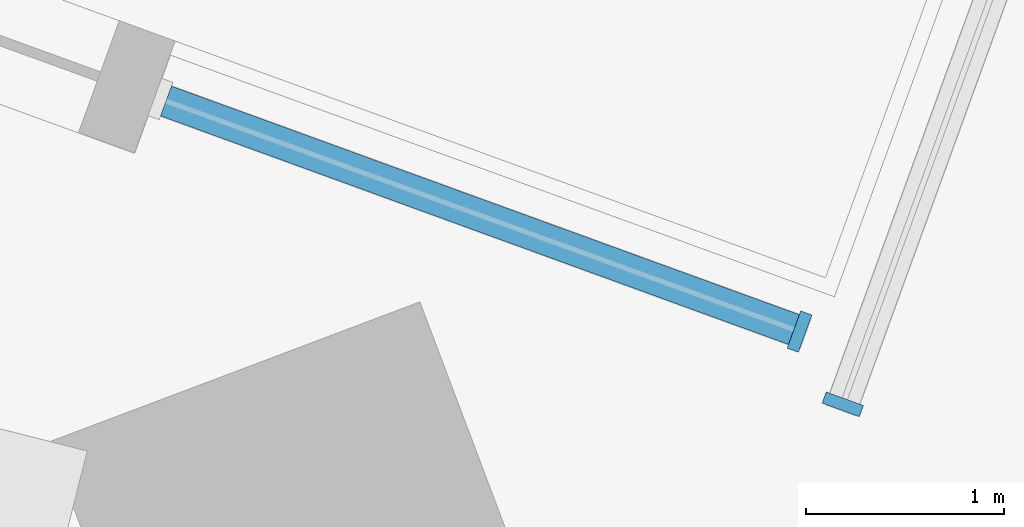
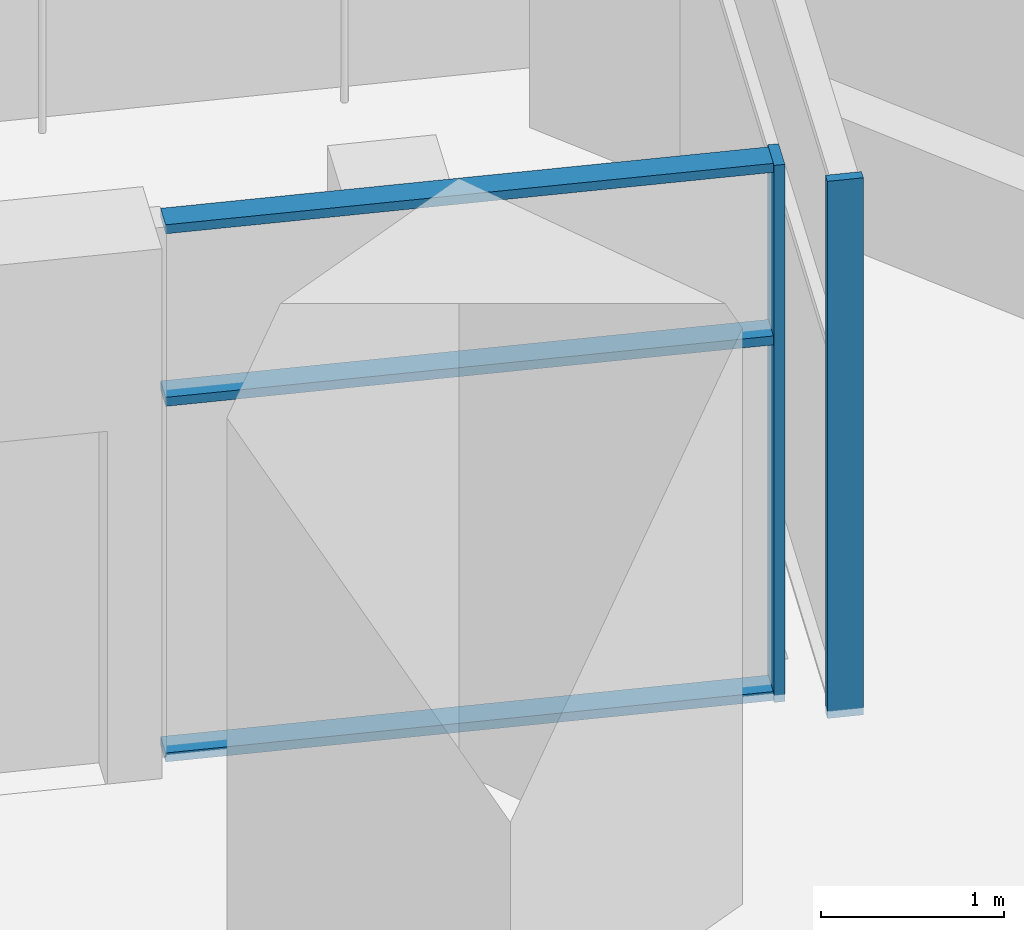
# One storey, part 2 of 12: 5 members, 2 elements without a shape of their own.
"""IFC4 building model written with IfcOpenShell, lengths in metres."""

from ifc_helpers import new_model, si_unit, direction, frame, origin, origin_2d, place, context, subcontext, project, spatial, rectangle, extrude, material, material_profile, profile_set, type_object, element, aggregate, save


model = new_model("IFC4")

# Units and contexts
model_context = context("Model", 3, precision=1e-05, world=origin(), true_north=direction((0.0, 1.0)))
body_context = subcontext(model_context, "Body", "Model", "MODEL_VIEW")
ifc_project = project(units=[si_unit("LENGTHUNIT", "METRE"), si_unit("AREAUNIT", "SQUARE_METRE"), si_unit("VOLUMEUNIT", "CUBIC_METRE"), si_unit("PLANEANGLEUNIT", "RADIAN"), si_unit("MASSUNIT", "GRAM", prefix="KILO")], contexts=[model_context])

# Site, building, storey
site_placement = place(None, origin())
site = spatial("IfcSite", under=ifc_project, at=site_placement, CompositionType="ELEMENT")
building_placement = place(site_placement, origin())
building = spatial("IfcBuilding", under=site, at=building_placement, Name="Dilmun Exchange Tower", CompositionType="ELEMENT")
storey_placement = place(building_placement, frame((0.0, 0.0, 126.10009765625)))
storey = spatial("IfcBuildingStorey", under=building, at=storey_placement, Name="L29", CompositionType="ELEMENT", Elevation=126.10009765625)

# Curtain wall, member
ifc_material_1 = material(Name="Anodised aluminium and clear glass", Category="aluminium")
curtain_wall_type = type_object("IfcCurtainWallType", Name="Garden corner glazing", PredefinedType="NOTDEFINED", material=ifc_material_1)
curtain_wall_1_placement = place(storey_placement, origin())
curtain_wall_1 = element("IfcCurtainWall", 1, at=curtain_wall_1_placement, inside=storey, type_object=curtain_wall_type, Name="Garden corner glazing run GC1.1", PredefinedType="NOTDEFINED")
ifc_material_2 = material(Name="Anodised aluminium", Category="aluminium")
ifc_material_profile_1 = material_profile(ifc_material_2, rectangle(XDim=0.199951171875, YDim=0.06005859375, at=origin_2d()), Name="AL 60x200")
ifc_profile_set_1 = profile_set([ifc_material_profile_1], Name="Anodised aluminium")
member_type_1 = type_object("IfcMemberType", Name="Garden corner glazing mullion 60 x 200", PredefinedType="MULLION", material=ifc_profile_set_1)
member_1_placement = place(storey_placement, frame((15.836181640625, 27.126220703125, 0.0), z_axis=(0.0, 0.0, 1.0), x_axis=(0.939694291986, -0.342015551708, 0.0)))
member_1 = element("IfcMember", 2, at=member_1_placement, type_object=member_type_1, Name="GC1.1 mullion 2", PredefinedType="MULLION", context=body_context, shape_type="SweptSolid", body=[
    extrude(rectangle(XDim=0.199951171875, YDim=0.06005859375, at=origin_2d()), origin(), (0.0, 0.0, 1.0), 3.579833984375),
])
aggregate(curtain_wall_1, [member_1])

# Curtain wall, members
curtain_wall_2_placement = place(storey_placement, origin())
curtain_wall_2 = element("IfcCurtainWall", 3, at=curtain_wall_2_placement, inside=storey, type_object=curtain_wall_type, Name="Garden corner glazing run GC2.1", PredefinedType="NOTDEFINED")
member_2_placement = place(storey_placement, frame((15.618408203125, 27.492919921875, 0.0), z_axis=(0.0, 0.0, 1.0), x_axis=(-0.342032997842, -0.939687942025, 0.0)))
member_2 = element("IfcMember", 4, at=member_2_placement, type_object=member_type_1, Name="GC2.1 mullion 1", PredefinedType="MULLION", context=body_context, shape_type="SweptSolid", body=[
    extrude(rectangle(XDim=0.199951171875, YDim=0.06005859375, at=origin_2d()), origin(), (0.0, 0.0, 1.0), 3.579833984375),
])
ifc_material_profile_2 = material_profile(ifc_material_2, rectangle(XDim=0.159912109375, YDim=0.06005859375, at=origin_2d()), Name="AL 60x160")
ifc_profile_set_2 = profile_set([ifc_material_profile_2], Name="Anodised aluminium")
member_type_2 = type_object("IfcMemberType", Name="Garden corner glazing transom 60 x 160", PredefinedType="USERDEFINED", material=ifc_profile_set_2)
member_3_placement = place(storey_placement, frame((15.590087890625, 27.503173828125, 0.02978515625), z_axis=(-0.939691828912, 0.342022318975, 0.0), x_axis=(-0.342022318975, -0.939691828912, 0.0)))
member_3 = element("IfcMember", 5, at=member_3_placement, type_object=member_type_2, Name="GC2.1 transom 1.1", ObjectType="TRANSOM", PredefinedType="USERDEFINED", context=body_context, shape_type="SweptSolid", body=[
    extrude(rectangle(XDim=0.159912109375, YDim=0.06005859375, at=origin_2d()), origin(), (0.0, 0.0, 1.0), 3.369140625),
])
member_4_placement = place(storey_placement, frame((15.590087890625, 27.503173828125, 2.39990234375), z_axis=(-0.939691828912, 0.342022318975, 0.0), x_axis=(-0.342022318975, -0.939691828912, 0.0)))
member_4 = element("IfcMember", 6, at=member_4_placement, type_object=member_type_2, Name="GC2.1 transom 1.2", ObjectType="TRANSOM", PredefinedType="USERDEFINED", context=body_context, shape_type="SweptSolid", body=[
    extrude(rectangle(XDim=0.159912109375, YDim=0.06005859375, at=origin_2d()), origin(), (0.0, 0.0, 1.0), 3.369140625),
])
member_5_placement = place(storey_placement, frame((15.590087890625, 27.503173828125, 3.5498046875), z_axis=(-0.939691828912, 0.342022318975, 0.0), x_axis=(-0.342022318975, -0.939691828912, 0.0)))
member_5 = element("IfcMember", 7, at=member_5_placement, type_object=member_type_2, Name="GC2.1 transom 1.3", ObjectType="TRANSOM", PredefinedType="USERDEFINED", context=body_context, shape_type="SweptSolid", body=[
    extrude(rectangle(XDim=0.159912109375, YDim=0.06005859375, at=origin_2d()), origin(), (0.0, 0.0, 1.0), 3.369140625),
])
aggregate(curtain_wall_2, [member_2, member_3, member_4, member_5])

save(model, "model.ifc")
